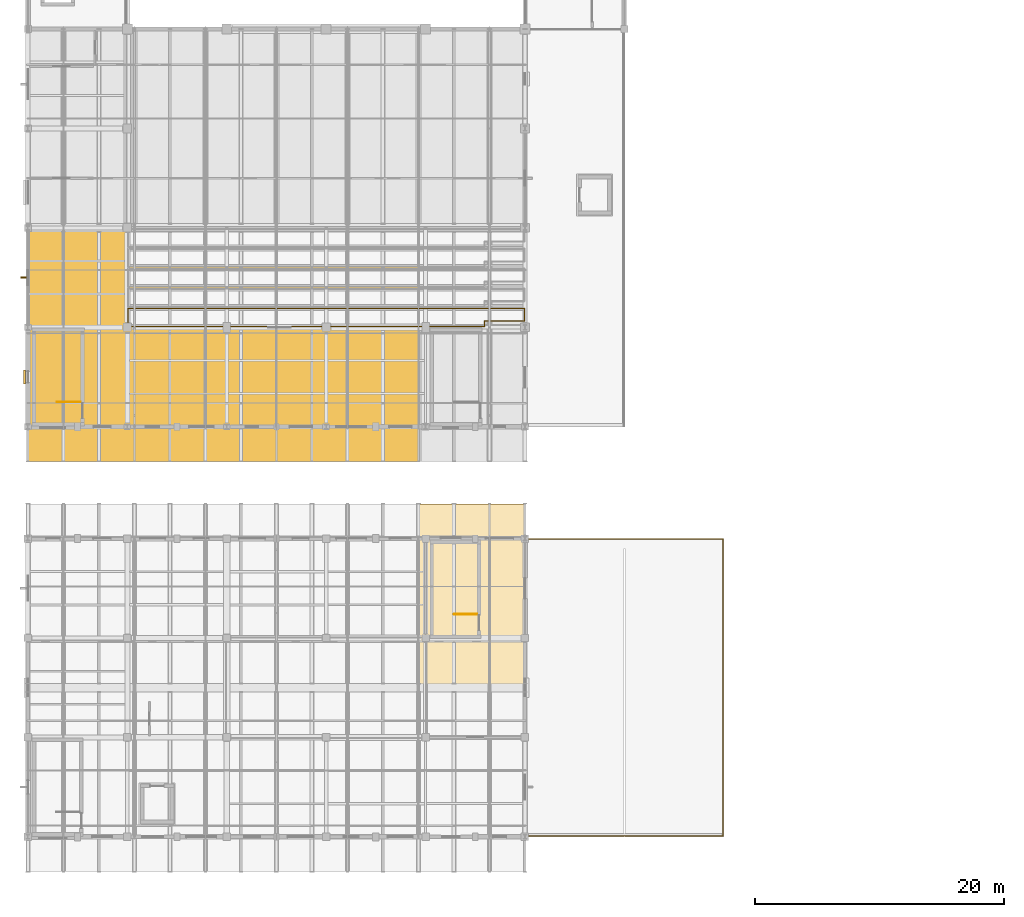
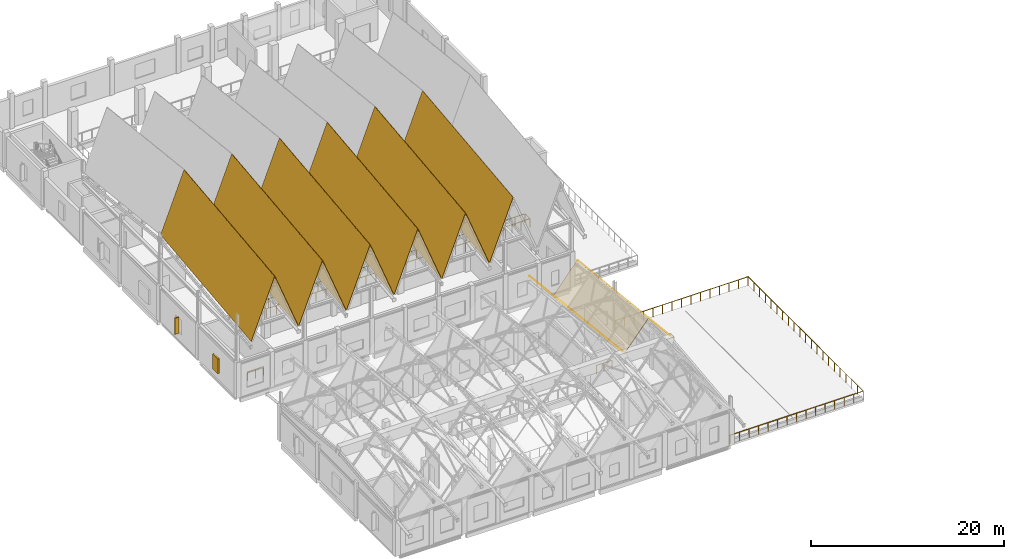
# One storey, part 66 of 77: 14 coverings, 4 railings, 2 shading devices.
"""IFC4 building model written with IfcOpenShell, lengths in metres."""

from ifc_helpers import new_model, si_unit, direction, frame, origin, origin_2d, place, context, subcontext, project, spatial, polyline, rectangle, circle, outline, extrude, material, layer, layer_set, type_object, element, save


model = new_model("IFC4")

# Units and contexts
model_context = context("Model", 3, precision=1e-05, world=origin(), true_north=direction((0.0, 1.0)))
body_context = subcontext(model_context, "Body", "Model", "MODEL_VIEW")
ifc_project = project(units=[si_unit("LENGTHUNIT", "METRE"), si_unit("AREAUNIT", "SQUARE_METRE"), si_unit("VOLUMEUNIT", "CUBIC_METRE"), si_unit("PLANEANGLEUNIT", "RADIAN"), si_unit("MASSUNIT", "GRAM", prefix="KILO")], contexts=[model_context])

# Site, building, storey
site_placement = place(None, origin())
site = spatial("IfcSite", under=ifc_project, at=site_placement, CompositionType="ELEMENT")
building_placement = place(site_placement, origin())
building = spatial("IfcBuilding", under=site, at=building_placement, Name="Luwemba Playhouse", CompositionType="ELEMENT")
storey_placement = place(building_placement, frame((0.0, 0.0, 9.300048828125)))
storey = spatial("IfcBuildingStorey", under=building, at=storey_placement, Name="L02", CompositionType="ELEMENT", Elevation=9.300048828125)

# Coverings
ifc_material_1 = material(Name="Glazed terracotta clay roof tile", Category="masonry")
ifc_layer = layer(ifc_material_1, 0.06494140625)
ifc_layer_set = layer_set([ifc_layer], Name="Glazed terracotta clay roof tile")
covering_type = type_object("IfcCoveringType", Name="COV-ROOF-TILE", PredefinedType="ROOFING", material=ifc_layer_set)
covering_1_placement = place(storey_placement, frame((4.02490234375, 33.199951171875, 8.6767578125), z_axis=(-0.932207198842, -0.040341116485, 0.359669755119), x_axis=(0.359962777117, 0.0, 0.932966665583)))
element("IfcCovering", 1, at=covering_1_placement, inside=storey, type_object=covering_type, Name="RF-V1 glazed clay-tile roofing 1S", PredefinedType="ROOFING", context=body_context, shape_type="SweptSolid", body=[
    extrude(outline(polyline([(0.0, 0.0), (7.798386624108571, 0.0), (9.7656798591291, 18.815365178215604), (1.9672932350205299, 18.815365178215604), (0.0, 0.0)])), origin(), (0.0, 0.0, -1.0), 0.06494140625),
])
covering_2_placement = place(storey_placement, frame((6.882080078125, 33.199951171875, 15.952392578125), z_axis=(0.932209159723, -0.040342859842, 0.359664477241), x_axis=(0.359957528853, 2.27127e-07, -0.932968690483)))
element("IfcCovering", 2, at=covering_2_placement, inside=storey, type_object=covering_type, Name="RF-V1 glazed clay-tile roofing 2S", PredefinedType="ROOFING", context=body_context, shape_type="SweptSolid", body=[
    extrude(outline(polyline([(0.0, 0.0), (7.798386623984982, 0.0), (5.831093389180452, 18.81536517818697), (-1.9675210103637295, 18.815368723579514), (0.0, 0.0)])), origin(), (0.0, 0.0, -1.0), 0.06494140625),
])
covering_3_placement = place(storey_placement, frame((9.7392578125, 33.199951171875, 8.6767578125), z_axis=(-0.932207198842, -0.040341116485, 0.359669755119), x_axis=(0.359962777117, 0.0, 0.932966665583)))
element("IfcCovering", 3, at=covering_3_placement, inside=storey, type_object=covering_type, Name="RF-V1 glazed clay-tile roofing 3S", PredefinedType="ROOFING", context=body_context, shape_type="SweptSolid", body=[
    extrude(outline(polyline([(0.0, 0.0), (7.798386624108571, 0.0), (9.7656798591291, 18.815365178215604), (1.9672932350205299, 18.815365178215604), (0.0, 0.0)])), origin(), (0.0, 0.0, -1.0), 0.06494140625),
])
covering_4_placement = place(storey_placement, frame((12.596435546875, 33.199951171875, 15.952392578125), z_axis=(0.932211120513, -0.040344603147, 0.359659199505), x_axis=(0.359952263619, 0.0, -0.932970721896)))
element("IfcCovering", 4, at=covering_4_placement, inside=storey, type_object=covering_type, Name="RF-V1 glazed clay-tile roofing 4S", PredefinedType="ROOFING", context=body_context, shape_type="SweptSolid", body=[
    extrude(outline(polyline([(0.0, 0.0), (7.798614399668574, -1.3877787807814457e-17), (5.831084835278777, 18.815367829135216), (-1.9675295643897965, 18.815367829135216), (0.0, 0.0)])), origin(), (0.0, 0.0, -1.0), 0.06494140625),
])
covering_5_placement = place(storey_placement, frame((15.45361328125, 33.199951171875, 8.6767578125), z_axis=(-0.932207198842, -0.040341116485, 0.359669755119), x_axis=(0.359962777117, 0.0, 0.932966665583)))
element("IfcCovering", 5, at=covering_5_placement, inside=storey, type_object=covering_type, Name="RF-V1 glazed clay-tile roofing 5S", PredefinedType="ROOFING", context=body_context, shape_type="SweptSolid", body=[
    extrude(outline(polyline([(0.0, 0.0), (7.798386624108571, 0.0), (9.7656798591291, 18.815365178215604), (1.9672932350205299, 18.815365178215604), (0.0, 0.0)])), origin(), (0.0, 0.0, -1.0), 0.06494140625),
])
covering_6_placement = place(storey_placement, frame((18.310791015625, 33.199951171875, 15.952392578125), z_axis=(0.932211120513, -0.040344603147, 0.359659199505), x_axis=(0.359952263619, 0.0, -0.932970721896)))
element("IfcCovering", 6, at=covering_6_placement, inside=storey, type_object=covering_type, Name="RF-V1 glazed clay-tile roofing 6S", PredefinedType="ROOFING", context=body_context, shape_type="SweptSolid", body=[
    extrude(outline(polyline([(0.0, 0.0), (7.798614399668574, -1.3877787807814457e-17), (5.831084835278777, 18.815367829135216), (-1.9675295643897965, 18.815367829135216), (0.0, 0.0)])), origin(), (0.0, 0.0, -1.0), 0.06494140625),
])
covering_7_placement = place(storey_placement, frame((21.16796875, 33.199951171875, 8.6767578125), z_axis=(-0.932205062219, -0.040344036275, 0.359674965366), x_axis=(0.359968025524, 2.27141e-07, 0.932964640595)))
element("IfcCovering", 7, at=covering_7_placement, inside=storey, type_object=covering_type, Name="RF-V1 glazed clay-tile roofing 7S", PredefinedType="ROOFING", context=body_context, shape_type="SweptSolid", body=[
    extrude(outline(polyline([(0.0, 0.0), (7.798386623984975, -2.7755575615628914e-17), (9.765679859283875, 18.815365178135274), (1.96752100986936, 18.815368723631202), (0.0, 0.0)])), origin(), (0.0, 0.0, -1.0), 0.06494140625),
])
covering_8_placement = place(storey_placement, frame((24.02490234375, 33.199951171875, 15.952392578125), z_axis=(0.932205062219, -0.040344036275, 0.359674965366), x_axis=(0.359968025524, -2.27141e-07, -0.932964640595)))
element("IfcCovering", 8, at=covering_8_placement, inside=storey, type_object=covering_type, Name="RF-V1 glazed clay-tile roofing 8S", PredefinedType="ROOFING", context=body_context, shape_type="SweptSolid", body=[
    extrude(outline(polyline([(0.0, 0.0), (7.798386623984975, 2.7755575615628914e-17), (5.830865614115614, 18.815368723631206), (-1.9672932352989023, 18.815365178135274), (0.0, 0.0)])), origin(), (0.0, 0.0, -1.0), 0.06494140625),
])
covering_9_placement = place(storey_placement, frame((26.882080078125, 33.199951171875, 8.676513671875), z_axis=(-0.932211120513, -0.040344603147, 0.359659199505), x_axis=(0.359952263619, 0.0, 0.932970721896)))
element("IfcCovering", 9, at=covering_9_placement, inside=storey, type_object=covering_type, Name="RF-V1 glazed clay-tile roofing 9S", PredefinedType="ROOFING", context=body_context, shape_type="SweptSolid", body=[
    extrude(outline(polyline([(0.0, 0.0), (7.798614399668574, 1.3877787807814457e-17), (9.76614396405837, 18.81536782913522), (1.9675295643897965, 18.815367829135216), (0.0, 0.0)])), origin(), (0.0, 0.0, -1.0), 0.06494140625),
])
covering_10_placement = place(storey_placement, frame((29.7392578125, 33.199951171875, 15.952392578125), z_axis=(0.932207198842, -0.040341116485, 0.359669755119), x_axis=(0.359962777117, 0.0, -0.932966665583)))
element("IfcCovering", 10, at=covering_10_placement, inside=storey, type_object=covering_type, Name="RF-V1 glazed clay-tile roofing 10S", PredefinedType="ROOFING", context=body_context, shape_type="SweptSolid", body=[
    extrude(outline(polyline([(0.0, 0.0), (7.798386624108571, 0.0), (5.83109338908804, 18.8153651782156), (-1.9672932350205299, 18.815365178215604), (0.0, 0.0)])), origin(), (0.0, 0.0, -1.0), 0.06494140625),
])
covering_11_placement = place(storey_placement, frame((32.596435546875, 33.199951171875, 8.676513671875), z_axis=(-0.932211120513, -0.040344603147, 0.359659199505), x_axis=(0.359952263619, 0.0, 0.932970721896)))
element("IfcCovering", 11, at=covering_11_placement, inside=storey, type_object=covering_type, Name="RF-V1 glazed clay-tile roofing 11S", PredefinedType="ROOFING", context=body_context, shape_type="SweptSolid", body=[
    extrude(outline(polyline([(0.0, 0.0), (7.798614399668574, 1.3877787807814457e-17), (9.76614396405837, 18.81536782913522), (1.9675295643897965, 18.815367829135216), (0.0, 0.0)])), origin(), (0.0, 0.0, -1.0), 0.06494140625),
])
covering_12_placement = place(storey_placement, frame((35.45361328125, 15.0, 9.69580078125), z_axis=(0.768580708665, 0.07131531422, 0.635765538722), x_axis=(0.637388443494, 0.0, -0.770542647814)))
element("IfcCovering", 12, at=covering_12_placement, inside=storey, type_object=covering_type, Name="RF-V5W glazed clay-tile roofing 12N", PredefinedType="ROOFING", context=body_context, shape_type="SweptSolid", body=[
    extrude(outline(polyline([(0.0, 0.0), (4.404110138649753, 0.0), (5.683331331309841, 14.83782858876418), (1.279221192660088, 14.837828588764179), (0.0, 0.0)])), origin(), (0.0, 0.0, -1.0), 0.06494140625),
])
covering_13_placement = place(storey_placement, frame((38.310791015625, 15.0, 6.30224609375), z_axis=(-0.768580708665, 0.07131531422, 0.635765538722), x_axis=(0.637388443494, 0.0, 0.770542647814)))
element("IfcCovering", 13, at=covering_13_placement, inside=storey, type_object=covering_type, Name="RF-V5W glazed clay-tile roofing 13N", PredefinedType="ROOFING", context=body_context, shape_type="SweptSolid", body=[
    extrude(outline(polyline([(0.0, 0.0), (4.404110138649753, 0.0), (3.1248889459896647, 14.837828588764179), (-1.279221192660088, 14.837828588764179), (0.0, 0.0)])), origin(), (0.0, 0.0, -1.0), 0.06494140625),
])
covering_14_placement = place(storey_placement, frame((41.16796875, 15.0, 9.69580078125), z_axis=(0.768580708665, 0.07131531422, 0.635765538722), x_axis=(0.637388443494, 0.0, -0.770542647814)))
element("IfcCovering", 14, at=covering_14_placement, inside=storey, type_object=covering_type, Name="RF-V5W glazed clay-tile roofing 14N", PredefinedType="ROOFING", context=body_context, shape_type="SweptSolid", body=[
    extrude(outline(polyline([(0.0, 0.0), (4.404110138649753, 0.0), (5.683331331309841, 14.83782858876418), (1.279221192660088, 14.837828588764179), (0.0, 0.0)])), origin(), (0.0, 0.0, -1.0), 0.06494140625),
])

# Railings
ifc_material_2 = material(Name="Painted wrought-iron balustrade", Category="steel")
railing_type_1 = type_object("IfcRailingType", Name="RLG-BAL-EXT", PredefinedType="BALUSTRADE", material=ifc_material_2)
railing_1_placement = place(storey_placement, frame((44.0, 3.050048828125, 0.0)))
element("IfcRailing", 15, at=railing_1_placement, inside=storey, type_object=railing_type_1, Name="L02 South Belvedere Terrace perimeter guard", PredefinedType="BALUSTRADE", context=body_context, shape_type="SweptSolid", body=[
    extrude(circle(Radius=0.02392578125, at=origin_2d()), frame((0.0, 0.0, 1.09619140625), z_axis=(1.0, 0.0, 0.0), x_axis=(0.0, 1.0, 0.0)), (0.0, 0.0, 1.0), 15.949951171875),
    extrude(circle(Radius=0.02392578125, at=origin_2d()), frame((15.949951171875, 0.0, 1.09619140625), z_axis=(0.0, 1.0, 0.0), x_axis=(-1.0, 0.0, 0.0)), (0.0, 0.0, 1.0), 23.89990234375),
    extrude(circle(Radius=0.02392578125, at=origin_2d()), frame((15.949951171875, 23.89990234375, 1.09619140625), z_axis=(-1.0, 0.0, 0.0), x_axis=(0.0, -1.0, 0.0)), (0.0, 0.0, 1.0), 15.949951171875),
    extrude(circle(Radius=0.02099609375, at=origin_2d()), origin(), (0.0, 0.0, 1.0), 1.072021484375),
    extrude(circle(Radius=0.02099609375, at=origin_2d()), frame((1.13916015625, 0.0, 0.0)), (0.0, 0.0, 1.0), 1.072021484375),
    extrude(circle(Radius=0.02099609375, at=origin_2d()), frame((2.278564453125, 0.0, 0.0)), (0.0, 0.0, 1.0), 1.072021484375),
    extrude(circle(Radius=0.02099609375, at=origin_2d()), frame((3.41796875, 0.0, 0.0)), (0.0, 0.0, 1.0), 1.072021484375),
    extrude(circle(Radius=0.02099609375, at=origin_2d()), frame((4.55712890625, 0.0, 0.0)), (0.0, 0.0, 1.0), 1.072021484375),
    extrude(circle(Radius=0.02099609375, at=origin_2d()), frame((5.6962890625, 0.0, 0.0)), (0.0, 0.0, 1.0), 1.072021484375),
    extrude(circle(Radius=0.02099609375, at=origin_2d()), frame((6.835693359375, 0.0, 0.0)), (0.0, 0.0, 1.0), 1.072021484375),
    extrude(circle(Radius=0.02099609375, at=origin_2d()), frame((7.97509765625, 0.0, 0.0)), (0.0, 0.0, 1.0), 1.072021484375),
    extrude(circle(Radius=0.02099609375, at=origin_2d()), frame((9.1142578125, 0.0, 0.0)), (0.0, 0.0, 1.0), 1.072021484375),
    extrude(circle(Radius=0.02099609375, at=origin_2d()), frame((10.25341796875, 0.0, 0.0)), (0.0, 0.0, 1.0), 1.072021484375),
    extrude(circle(Radius=0.02099609375, at=origin_2d()), frame((11.392822265625, 0.0, 0.0)), (0.0, 0.0, 1.0), 1.072021484375),
    extrude(circle(Radius=0.02099609375, at=origin_2d()), frame((12.5322265625, 0.0, 0.0)), (0.0, 0.0, 1.0), 1.072021484375),
    extrude(circle(Radius=0.02099609375, at=origin_2d()), frame((13.67138671875, 0.0, 0.0)), (0.0, 0.0, 1.0), 1.072021484375),
    extrude(circle(Radius=0.02099609375, at=origin_2d()), frame((14.810546875, 0.0, 0.0)), (0.0, 0.0, 1.0), 1.072021484375),
    extrude(circle(Radius=0.02099609375, at=origin_2d()), frame((15.949951171875, 0.0, 0.0)), (0.0, 0.0, 1.0), 1.072021484375),
    extrude(circle(Radius=0.02099609375, at=origin_2d()), frame((15.949951171875, 1.195068359375, 0.0)), (0.0, 0.0, 1.0), 1.072021484375),
    extrude(circle(Radius=0.02099609375, at=origin_2d()), frame((15.949951171875, 2.389892578125, 0.0)), (0.0, 0.0, 1.0), 1.072021484375),
    extrude(circle(Radius=0.02099609375, at=origin_2d()), frame((15.949951171875, 3.5849609375, 0.0)), (0.0, 0.0, 1.0), 1.072021484375),
    extrude(circle(Radius=0.02099609375, at=origin_2d()), frame((15.949951171875, 4.780029296875, 0.0)), (0.0, 0.0, 1.0), 1.072021484375),
    extrude(circle(Radius=0.02099609375, at=origin_2d()), frame((15.949951171875, 5.97509765625, 0.0)), (0.0, 0.0, 1.0), 1.072021484375),
    extrude(circle(Radius=0.02099609375, at=origin_2d()), frame((15.949951171875, 7.169921875, 0.0)), (0.0, 0.0, 1.0), 1.072021484375),
    extrude(circle(Radius=0.02099609375, at=origin_2d()), frame((15.949951171875, 8.364990234375, 0.0)), (0.0, 0.0, 1.0), 1.072021484375),
    extrude(circle(Radius=0.02099609375, at=origin_2d()), frame((15.949951171875, 9.56005859375, 0.0)), (0.0, 0.0, 1.0), 1.072021484375),
    extrude(circle(Radius=0.02099609375, at=origin_2d()), frame((15.949951171875, 10.7548828125, 0.0)), (0.0, 0.0, 1.0), 1.072021484375),
    extrude(circle(Radius=0.02099609375, at=origin_2d()), frame((15.949951171875, 11.949951171875, 0.0)), (0.0, 0.0, 1.0), 1.072021484375),
    extrude(circle(Radius=0.02099609375, at=origin_2d()), frame((15.949951171875, 13.14501953125, 0.0)), (0.0, 0.0, 1.0), 1.072021484375),
    extrude(circle(Radius=0.02099609375, at=origin_2d()), frame((15.949951171875, 14.33984375, 0.0)), (0.0, 0.0, 1.0), 1.072021484375),
    extrude(circle(Radius=0.02099609375, at=origin_2d()), frame((15.949951171875, 15.534912109375, 0.0)), (0.0, 0.0, 1.0), 1.072021484375),
    extrude(circle(Radius=0.02099609375, at=origin_2d()), frame((15.949951171875, 16.72998046875, 0.0)), (0.0, 0.0, 1.0), 1.072021484375),
    extrude(circle(Radius=0.02099609375, at=origin_2d()), frame((15.949951171875, 17.9248046875, 0.0)), (0.0, 0.0, 1.0), 1.072021484375),
    extrude(circle(Radius=0.02099609375, at=origin_2d()), frame((15.949951171875, 19.119873046875, 0.0)), (0.0, 0.0, 1.0), 1.072021484375),
    extrude(circle(Radius=0.02099609375, at=origin_2d()), frame((15.949951171875, 20.31494140625, 0.0)), (0.0, 0.0, 1.0), 1.072021484375),
    extrude(circle(Radius=0.02099609375, at=origin_2d()), frame((15.949951171875, 21.510009765625, 0.0)), (0.0, 0.0, 1.0), 1.072021484375),
    extrude(circle(Radius=0.02099609375, at=origin_2d()), frame((15.949951171875, 22.704833984375, 0.0)), (0.0, 0.0, 1.0), 1.072021484375),
    extrude(circle(Radius=0.02099609375, at=origin_2d()), frame((15.949951171875, 23.89990234375, 0.0)), (0.0, 0.0, 1.0), 1.072021484375),
    extrude(circle(Radius=0.02099609375, at=origin_2d()), frame((14.810546875, 23.89990234375, 0.0)), (0.0, 0.0, 1.0), 1.072021484375),
    extrude(circle(Radius=0.02099609375, at=origin_2d()), frame((13.67138671875, 23.89990234375, 0.0)), (0.0, 0.0, 1.0), 1.072021484375),
    extrude(circle(Radius=0.02099609375, at=origin_2d()), frame((12.5322265625, 23.89990234375, 0.0)), (0.0, 0.0, 1.0), 1.072021484375),
    extrude(circle(Radius=0.02099609375, at=origin_2d()), frame((11.392822265625, 23.89990234375, 0.0)), (0.0, 0.0, 1.0), 1.072021484375),
    extrude(circle(Radius=0.02099609375, at=origin_2d()), frame((10.25341796875, 23.89990234375, 0.0)), (0.0, 0.0, 1.0), 1.072021484375),
    extrude(circle(Radius=0.02099609375, at=origin_2d()), frame((9.1142578125, 23.89990234375, 0.0)), (0.0, 0.0, 1.0), 1.072021484375),
    extrude(circle(Radius=0.02099609375, at=origin_2d()), frame((7.97509765625, 23.89990234375, 0.0)), (0.0, 0.0, 1.0), 1.072021484375),
    extrude(circle(Radius=0.02099609375, at=origin_2d()), frame((6.835693359375, 23.89990234375, 0.0)), (0.0, 0.0, 1.0), 1.072021484375),
    extrude(circle(Radius=0.02099609375, at=origin_2d()), frame((5.6962890625, 23.89990234375, 0.0)), (0.0, 0.0, 1.0), 1.072021484375),
    extrude(circle(Radius=0.02099609375, at=origin_2d()), frame((4.55712890625, 23.89990234375, 0.0)), (0.0, 0.0, 1.0), 1.072021484375),
    extrude(circle(Radius=0.02099609375, at=origin_2d()), frame((3.41796875, 23.89990234375, 0.0)), (0.0, 0.0, 1.0), 1.072021484375),
    extrude(circle(Radius=0.02099609375, at=origin_2d()), frame((2.278564453125, 23.89990234375, 0.0)), (0.0, 0.0, 1.0), 1.072021484375),
    extrude(circle(Radius=0.02099609375, at=origin_2d()), frame((1.13916015625, 23.89990234375, 0.0)), (0.0, 0.0, 1.0), 1.072021484375),
    extrude(circle(Radius=0.02099609375, at=origin_2d()), frame((0.0, 23.89990234375, 0.0)), (0.0, 0.0, 1.0), 1.072021484375),
])
ifc_material_3 = material(Name="Painted wrought-iron gallery balustrade", Category="steel")
railing_type_2 = type_object("IfcRailingType", Name="RLG-BAL-INT", PredefinedType="BALUSTRADE", material=ifc_material_3)
railing_2_placement = place(storey_placement, frame((8.25, 37.989990234375, 0.0)))
element("IfcRailing", 16, at=railing_2_placement, inside=storey, type_object=railing_type_2, Name="L02 ST-01 top well guard 1", PredefinedType="BALUSTRADE", context=body_context, shape_type="SweptSolid", body=[
    extrude(circle(Radius=0.02392578125, at=origin_2d()), frame((0.0, 0.0, 1.09619140625), z_axis=(-1.0, 0.0, 0.0), x_axis=(0.0, -1.0, 0.0)), (0.0, 0.0, 1.0), 1.89990234375),
    extrude(circle(Radius=0.02099609375, at=origin_2d()), origin(), (0.0, 0.0, 1.0), 1.072021484375),
    extrude(circle(Radius=0.02099609375, at=origin_2d()), frame((-0.949951171875, 0.0, 0.0)), (0.0, 0.0, 1.0), 1.072021484375),
    extrude(circle(Radius=0.02099609375, at=origin_2d()), frame((-1.89990234375, 0.0, 0.0)), (0.0, 0.0, 1.0), 1.072021484375),
])
railing_3_placement = place(storey_placement, frame((40.14990234375, 20.909912109375, 0.0)))
element("IfcRailing", 17, at=railing_3_placement, inside=storey, type_object=railing_type_2, Name="L02 ST-13 top well guard 1", PredefinedType="BALUSTRADE", context=body_context, shape_type="SweptSolid", body=[
    extrude(circle(Radius=0.02392578125, at=origin_2d()), frame((0.0, 0.0, 1.09619140625), z_axis=(-1.0, 0.0, 0.0), x_axis=(0.0, -1.0, 0.0)), (0.0, 0.0, 1.0), 1.849853515625),
    extrude(circle(Radius=0.02099609375, at=origin_2d()), origin(), (0.0, 0.0, 1.0), 1.072021484375),
    extrude(circle(Radius=0.02099609375, at=origin_2d()), frame((-0.9248046875, 0.0, 0.0)), (0.0, 0.0, 1.0), 1.072021484375),
    extrude(circle(Radius=0.02099609375, at=origin_2d()), frame((-1.849853515625, 0.0, 0.0)), (0.0, 0.0, 1.0), 1.072021484375),
])
railing_4_placement = place(storey_placement, frame((12.050048828125, 44.050048828125, 2.300048828125)))
element("IfcRailing", 18, at=railing_4_placement, inside=storey, type_object=railing_type_2, Name="Stand Upper Circle Bay 1 perimeter balustrade", PredefinedType="BALUSTRADE", context=body_context, shape_type="SweptSolid", body=[
    extrude(circle(Radius=0.02392578125, at=origin_2d()), frame((0.0, 0.0, 1.09619140625), z_axis=(0.0, 1.0, 0.0), x_axis=(-1.0, 0.0, 0.0)), (0.0, 0.0, 1.0), 1.47998046875),
    extrude(circle(Radius=0.02392578125, at=origin_2d()), frame((0.0, 1.47998046875, 1.09619140625), z_axis=(1.0, 0.0, 0.0), x_axis=(0.0, 1.0, 0.0)), (0.0, 0.0, 1.0), 31.89990234375),
    extrude(circle(Radius=0.02392578125, at=origin_2d()), frame((31.89990234375, 1.47998046875, 1.09619140625), z_axis=(0.0, -1.0, 0.0), x_axis=(1.0, 0.0, 0.0)), (0.0, 0.0, 1.0), 1.030029296875),
    extrude(circle(Radius=0.02392578125, at=origin_2d()), frame((31.89990234375, 0.449951171875, 1.09619140625), z_axis=(-1.0, 0.0, 0.0), x_axis=(0.0, -1.0, 0.0)), (0.0, 0.0, 1.0), 3.199951171875),
    extrude(circle(Radius=0.02392578125, at=origin_2d()), frame((28.699951171875, 0.449951171875, 1.09619140625), z_axis=(0.0, -1.0, 0.0), x_axis=(1.0, 0.0, 0.0)), (0.0, 0.0, 1.0), 0.449951171875),
    extrude(circle(Radius=0.02392578125, at=origin_2d()), frame((28.699951171875, 0.0, 1.09619140625), z_axis=(-1.0, 0.0, 0.0), x_axis=(0.0, -1.0, 0.0)), (0.0, 0.0, 1.0), 28.639892578125),
    extrude(circle(Radius=0.02099609375, at=origin_2d()), origin(), (0.0, 0.0, 1.0), 1.072021484375),
    extrude(circle(Radius=0.02099609375, at=origin_2d()), frame((0.0, 0.739990234375, 0.0)), (0.0, 0.0, 1.0), 1.072021484375),
    extrude(circle(Radius=0.02099609375, at=origin_2d()), frame((0.0, 1.47998046875, 0.0)), (0.0, 0.0, 1.0), 1.072021484375),
    extrude(circle(Radius=0.02099609375, at=origin_2d()), frame((1.181396484375, 1.47998046875, 0.0)), (0.0, 0.0, 1.0), 1.072021484375),
    extrude(circle(Radius=0.02099609375, at=origin_2d()), frame((2.363037109375, 1.47998046875, 0.0)), (0.0, 0.0, 1.0), 1.072021484375),
    extrude(circle(Radius=0.02099609375, at=origin_2d()), frame((3.54443359375, 1.47998046875, 0.0)), (0.0, 0.0, 1.0), 1.072021484375),
    extrude(circle(Radius=0.02099609375, at=origin_2d()), frame((4.725830078125, 1.47998046875, 0.0)), (0.0, 0.0, 1.0), 1.072021484375),
    extrude(circle(Radius=0.02099609375, at=origin_2d()), frame((5.907470703125, 1.47998046875, 0.0)), (0.0, 0.0, 1.0), 1.072021484375),
    extrude(circle(Radius=0.02099609375, at=origin_2d()), frame((7.0888671875, 1.47998046875, 0.0)), (0.0, 0.0, 1.0), 1.072021484375),
    extrude(circle(Radius=0.02099609375, at=origin_2d()), frame((8.270263671875, 1.47998046875, 0.0)), (0.0, 0.0, 1.0), 1.072021484375),
    extrude(circle(Radius=0.02099609375, at=origin_2d()), frame((9.451904296875, 1.47998046875, 0.0)), (0.0, 0.0, 1.0), 1.072021484375),
    extrude(circle(Radius=0.02099609375, at=origin_2d()), frame((10.63330078125, 1.47998046875, 0.0)), (0.0, 0.0, 1.0), 1.072021484375),
    extrude(circle(Radius=0.02099609375, at=origin_2d()), frame((11.814697265625, 1.47998046875, 0.0)), (0.0, 0.0, 1.0), 1.072021484375),
    extrude(circle(Radius=0.02099609375, at=origin_2d()), frame((12.996337890625, 1.47998046875, 0.0)), (0.0, 0.0, 1.0), 1.072021484375),
    extrude(circle(Radius=0.02099609375, at=origin_2d()), frame((14.177734375, 1.47998046875, 0.0)), (0.0, 0.0, 1.0), 1.072021484375),
    extrude(circle(Radius=0.02099609375, at=origin_2d()), frame((15.359130859375, 1.47998046875, 0.0)), (0.0, 0.0, 1.0), 1.072021484375),
    extrude(circle(Radius=0.02099609375, at=origin_2d()), frame((16.540771484375, 1.47998046875, 0.0)), (0.0, 0.0, 1.0), 1.072021484375),
    extrude(circle(Radius=0.02099609375, at=origin_2d()), frame((17.72216796875, 1.47998046875, 0.0)), (0.0, 0.0, 1.0), 1.072021484375),
    extrude(circle(Radius=0.02099609375, at=origin_2d()), frame((18.903564453125, 1.47998046875, 0.0)), (0.0, 0.0, 1.0), 1.072021484375),
    extrude(circle(Radius=0.02099609375, at=origin_2d()), frame((20.085205078125, 1.47998046875, 0.0)), (0.0, 0.0, 1.0), 1.072021484375),
    extrude(circle(Radius=0.02099609375, at=origin_2d()), frame((21.2666015625, 1.47998046875, 0.0)), (0.0, 0.0, 1.0), 1.072021484375),
    extrude(circle(Radius=0.02099609375, at=origin_2d()), frame((22.447998046875, 1.47998046875, 0.0)), (0.0, 0.0, 1.0), 1.072021484375),
    extrude(circle(Radius=0.02099609375, at=origin_2d()), frame((23.629638671875, 1.47998046875, 0.0)), (0.0, 0.0, 1.0), 1.072021484375),
    extrude(circle(Radius=0.02099609375, at=origin_2d()), frame((24.81103515625, 1.47998046875, 0.0)), (0.0, 0.0, 1.0), 1.072021484375),
    extrude(circle(Radius=0.02099609375, at=origin_2d()), frame((25.992431640625, 1.47998046875, 0.0)), (0.0, 0.0, 1.0), 1.072021484375),
    extrude(circle(Radius=0.02099609375, at=origin_2d()), frame((27.174072265625, 1.47998046875, 0.0)), (0.0, 0.0, 1.0), 1.072021484375),
    extrude(circle(Radius=0.02099609375, at=origin_2d()), frame((28.35546875, 1.47998046875, 0.0)), (0.0, 0.0, 1.0), 1.072021484375),
    extrude(circle(Radius=0.02099609375, at=origin_2d()), frame((29.536865234375, 1.47998046875, 0.0)), (0.0, 0.0, 1.0), 1.072021484375),
    extrude(circle(Radius=0.02099609375, at=origin_2d()), frame((30.718505859375, 1.47998046875, 0.0)), (0.0, 0.0, 1.0), 1.072021484375),
    extrude(circle(Radius=0.02099609375, at=origin_2d()), frame((31.89990234375, 1.47998046875, 0.0)), (0.0, 0.0, 1.0), 1.072021484375),
    extrude(circle(Radius=0.02099609375, at=origin_2d()), frame((31.89990234375, 0.449951171875, 0.0)), (0.0, 0.0, 1.0), 1.072021484375),
    extrude(circle(Radius=0.02099609375, at=origin_2d()), frame((30.833251953125, 0.449951171875, 0.0)), (0.0, 0.0, 1.0), 1.072021484375),
    extrude(circle(Radius=0.02099609375, at=origin_2d()), frame((29.7666015625, 0.449951171875, 0.0)), (0.0, 0.0, 1.0), 1.072021484375),
    extrude(circle(Radius=0.02099609375, at=origin_2d()), frame((28.699951171875, 0.449951171875, 0.0)), (0.0, 0.0, 1.0), 1.072021484375),
    extrude(circle(Radius=0.02099609375, at=origin_2d()), frame((28.699951171875, 0.0, 0.0)), (0.0, 0.0, 1.0), 1.072021484375),
    extrude(circle(Radius=0.02099609375, at=origin_2d()), frame((27.506591796875, 0.0, 0.0)), (0.0, 0.0, 1.0), 1.072021484375),
    extrude(circle(Radius=0.02099609375, at=origin_2d()), frame((26.313232421875, 0.0, 0.0)), (0.0, 0.0, 1.0), 1.072021484375),
    extrude(circle(Radius=0.02099609375, at=origin_2d()), frame((25.119873046875, 0.0, 0.0)), (0.0, 0.0, 1.0), 1.072021484375),
    extrude(circle(Radius=0.02099609375, at=origin_2d()), frame((23.9267578125, 0.0, 0.0)), (0.0, 0.0, 1.0), 1.072021484375),
    extrude(circle(Radius=0.02099609375, at=origin_2d()), frame((22.7333984375, 0.0, 0.0)), (0.0, 0.0, 1.0), 1.072021484375),
    extrude(circle(Radius=0.02099609375, at=origin_2d()), frame((21.5400390625, 0.0, 0.0)), (0.0, 0.0, 1.0), 1.072021484375),
    extrude(circle(Radius=0.02099609375, at=origin_2d()), frame((20.3466796875, 0.0, 0.0)), (0.0, 0.0, 1.0), 1.072021484375),
    extrude(circle(Radius=0.02099609375, at=origin_2d()), frame((19.1533203125, 0.0, 0.0)), (0.0, 0.0, 1.0), 1.072021484375),
    extrude(circle(Radius=0.02099609375, at=origin_2d()), frame((17.9599609375, 0.0, 0.0)), (0.0, 0.0, 1.0), 1.072021484375),
    extrude(circle(Radius=0.02099609375, at=origin_2d()), frame((16.7666015625, 0.0, 0.0)), (0.0, 0.0, 1.0), 1.072021484375),
    extrude(circle(Radius=0.02099609375, at=origin_2d()), frame((15.5732421875, 0.0, 0.0)), (0.0, 0.0, 1.0), 1.072021484375),
    extrude(circle(Radius=0.02099609375, at=origin_2d()), frame((14.3798828125, 0.0, 0.0)), (0.0, 0.0, 1.0), 1.072021484375),
    extrude(circle(Radius=0.02099609375, at=origin_2d()), frame((13.186767578125, 0.0, 0.0)), (0.0, 0.0, 1.0), 1.072021484375),
    extrude(circle(Radius=0.02099609375, at=origin_2d()), frame((11.993408203125, 0.0, 0.0)), (0.0, 0.0, 1.0), 1.072021484375),
    extrude(circle(Radius=0.02099609375, at=origin_2d()), frame((10.800048828125, 0.0, 0.0)), (0.0, 0.0, 1.0), 1.072021484375),
    extrude(circle(Radius=0.02099609375, at=origin_2d()), frame((9.606689453125, 0.0, 0.0)), (0.0, 0.0, 1.0), 1.072021484375),
    extrude(circle(Radius=0.02099609375, at=origin_2d()), frame((8.413330078125, 0.0, 0.0)), (0.0, 0.0, 1.0), 1.072021484375),
    extrude(circle(Radius=0.02099609375, at=origin_2d()), frame((7.219970703125, 0.0, 0.0)), (0.0, 0.0, 1.0), 1.072021484375),
    extrude(circle(Radius=0.02099609375, at=origin_2d()), frame((6.026611328125, 0.0, 0.0)), (0.0, 0.0, 1.0), 1.072021484375),
    extrude(circle(Radius=0.02099609375, at=origin_2d()), frame((4.83349609375, 0.0, 0.0)), (0.0, 0.0, 1.0), 1.072021484375),
    extrude(circle(Radius=0.02099609375, at=origin_2d()), frame((3.64013671875, 0.0, 0.0)), (0.0, 0.0, 1.0), 1.072021484375),
    extrude(circle(Radius=0.02099609375, at=origin_2d()), frame((2.44677734375, 0.0, 0.0)), (0.0, 0.0, 1.0), 1.072021484375),
    extrude(circle(Radius=0.02099609375, at=origin_2d()), frame((1.25341796875, 0.0, 0.0)), (0.0, 0.0, 1.0), 1.072021484375),
    extrude(circle(Radius=0.02099609375, at=origin_2d()), frame((0.06005859375, 0.0, 0.0)), (0.0, 0.0, 1.0), 1.072021484375),
])

# Shading devices
ifc_material_4 = material(Name="Extruded terracotta brise-soleil fin on steel bracket", Category="masonry")
shading_device_type_1 = type_object("IfcShadingDeviceType", Name="SHD-BRISE", PredefinedType="USERDEFINED", material=ifc_material_4)
shading_device_1_placement = place(storey_placement, frame((3.639892578125, 48.0, 0.82470703125), z_axis=(0.0, 0.0, 1.0), x_axis=(0.0, 1.0, 0.0)))
element("IfcShadingDevice", 19, at=shading_device_1_placement, inside=storey, type_object=shading_device_type_1, Name="L02 terracotta brise-soleil fin 039", ObjectType="TERRACOTTA BRISE SOLEIL", PredefinedType="USERDEFINED", context=body_context, shape_type="SweptSolid", body=[
    extrude(rectangle(XDim=0.139892578125, YDim=0.449951171875, at=origin_2d()), origin(), (0.0, 0.0, 1.0), 2.050048828125),
])
ifc_material_5 = material(Name="Kiln-fired terracotta gelosia louvre screen", Category="masonry")
shading_device_type_2 = type_object("IfcShadingDeviceType", Name="SHD-GELOSIA", PredefinedType="JALOUSIE", material=ifc_material_5)
shading_device_2_placement = place(storey_placement, frame((3.72509765625, 40.0, 0.9248046875), z_axis=(0.0, 0.0, 1.0), x_axis=(0.0, 1.0, 0.0)))
element("IfcShadingDevice", 20, at=shading_device_2_placement, inside=storey, type_object=shading_device_type_2, Name="L02 fired-clay gelosia screen 038", PredefinedType="JALOUSIE", context=body_context, shape_type="SweptSolid", body=[
    extrude(rectangle(XDim=1.10009765625, YDim=0.179931640625, at=origin_2d()), origin(), (0.0, 0.0, 1.0), 1.85009765625),
])

save(model, "model.ifc")
